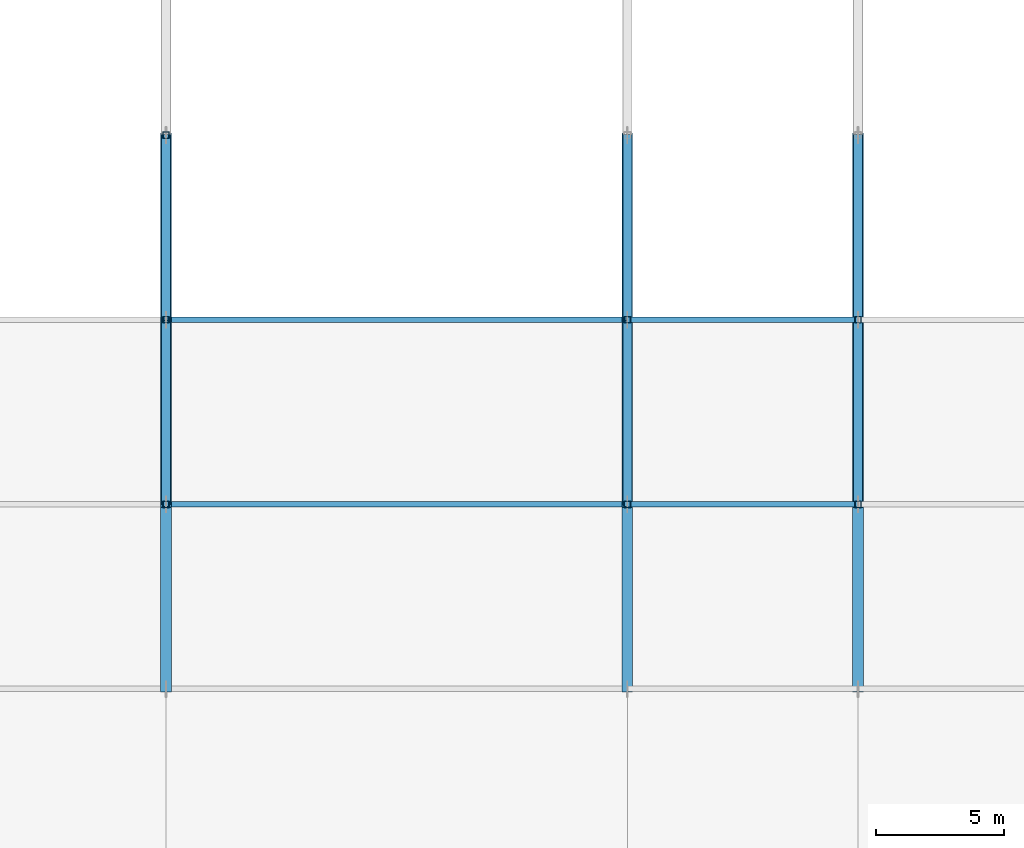
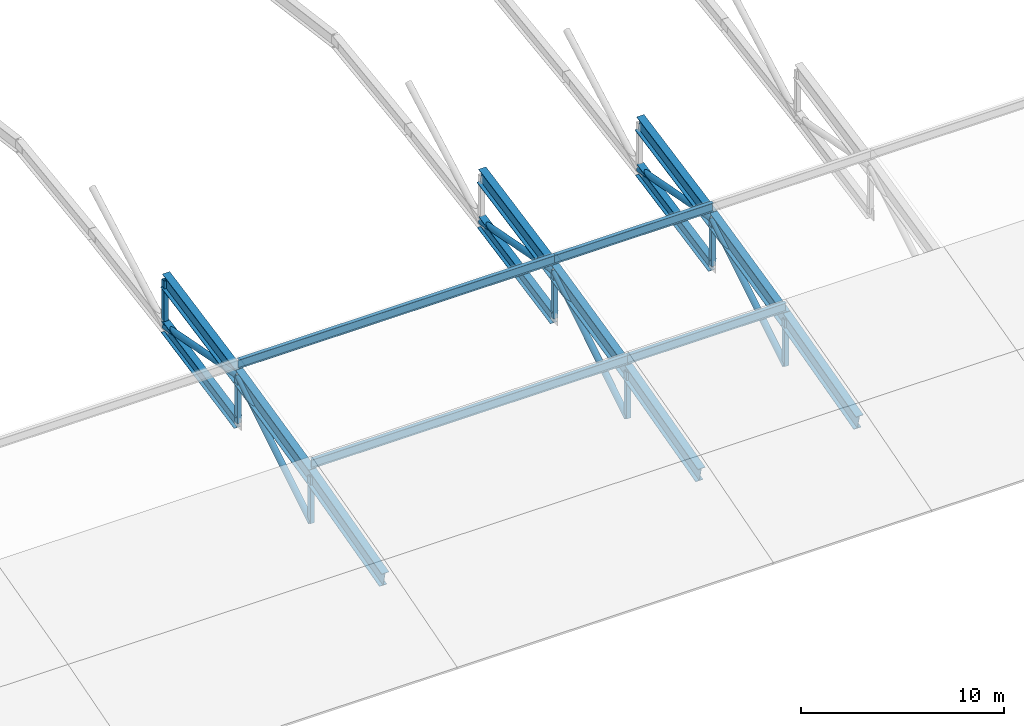
# One storey, part 16 of 124: 29 members.
"""IFC4 building model written with IfcOpenShell, lengths in metres."""

from ifc_helpers import new_model, si_unit, direction, frame, origin, origin_2d, place, context, subcontext, project, spatial, hollow_rectangle, hollow_circle, i_section, extrude, material, material_profile, profile_set, type_object, element, save


model = new_model("IFC4")

# Units and contexts
model_context = context("Model", 3, precision=1e-05, world=origin(), true_north=direction((0.0, 1.0)))
body_context = subcontext(model_context, "Body", "Model", "MODEL_VIEW")
ifc_project = project(units=[si_unit("LENGTHUNIT", "METRE"), si_unit("AREAUNIT", "SQUARE_METRE"), si_unit("VOLUMEUNIT", "CUBIC_METRE"), si_unit("PLANEANGLEUNIT", "RADIAN"), si_unit("MASSUNIT", "GRAM", prefix="KILO")], contexts=[model_context])

# Site, building, storey
site_placement = place(None, origin())
site = spatial("IfcSite", under=ifc_project, at=site_placement, CompositionType="ELEMENT")
building_placement = place(site_placement, origin())
building = spatial("IfcBuilding", under=site, at=building_placement, Name="Celestram Park Convention Centre", CompositionType="ELEMENT")
storey_placement = place(building_placement, frame((0.0, 0.0, 15.300048828125)))
storey = spatial("IfcBuildingStorey", under=building, at=storey_placement, Name="L03", CompositionType="ELEMENT", Elevation=15.300048828125)

# Members
ifc_material_1 = material(Name="Steel ASTM A500 Grade C", Category="steel")
ifc_material_profile_1 = material_profile(ifc_material_1, hollow_circle(Radius=0.177978515625, WallThickness=0.011962890625, at=origin_2d()), Name="CHS356X12")
ifc_profile_set_1 = profile_set([ifc_material_profile_1], Name="Steel ASTM A500 Grade C")
member_type_1 = type_object("IfcMemberType", Name="STR-BRC-CHS356", PredefinedType="BRACE", material=ifc_profile_set_1)
member_1_placement = place(storey_placement, frame((36.0, 36.0, -0.884765625), z_axis=(0.0, 0.850733884049, 0.525596669064), x_axis=(-1.0, 0.0, 0.0)))
element("IfcMember", 1, at=member_1_placement, inside=storey, type_object=member_type_1, Name="V1 arch web diagonal", PredefinedType="BRACE", context=body_context, shape_type="SweptSolid", body=[
    extrude(hollow_circle(Radius=0.177978515625, WallThickness=0.011962890625, at=origin_2d()), origin(), (0.0, 0.0, 1.0), 8.463134765625),
])
member_2_placement = place(storey_placement, frame((36.0, 43.199951171875, 3.5634765625), z_axis=(0.0, 0.982076449011, -0.188483018595), x_axis=(-1.0, 0.0, 0.0)))
element("IfcMember", 2, at=member_2_placement, inside=storey, type_object=member_type_1, Name="V1 arch web diagonal", PredefinedType="BRACE", context=body_context, shape_type="SweptSolid", body=[
    extrude(hollow_circle(Radius=0.177978515625, WallThickness=0.011962890625, at=origin_2d()), origin(), (0.0, 0.0, 1.0), 7.331298828125),
])
member_3_placement = place(storey_placement, frame((54.0, 36.0, -0.884765625), z_axis=(0.0, 0.850733884049, 0.525596669064), x_axis=(-1.0, 0.0, 0.0)))
element("IfcMember", 3, at=member_3_placement, inside=storey, type_object=member_type_1, Name="V1 arch web diagonal", PredefinedType="BRACE", context=body_context, shape_type="SweptSolid", body=[
    extrude(hollow_circle(Radius=0.177978515625, WallThickness=0.011962890625, at=origin_2d()), origin(), (0.0, 0.0, 1.0), 8.463134765625),
])
member_4_placement = place(storey_placement, frame((54.0, 43.199951171875, 3.5634765625), z_axis=(0.0, 0.982076449011, -0.188483018595), x_axis=(-1.0, 0.0, 0.0)))
element("IfcMember", 4, at=member_4_placement, inside=storey, type_object=member_type_1, Name="V1 arch web diagonal", PredefinedType="BRACE", context=body_context, shape_type="SweptSolid", body=[
    extrude(hollow_circle(Radius=0.177978515625, WallThickness=0.011962890625, at=origin_2d()), origin(), (0.0, 0.0, 1.0), 7.331298828125),
])
member_5_placement = place(storey_placement, frame((63.0, 36.0, -0.884765625), z_axis=(0.0, 0.850733884049, 0.525596669064), x_axis=(-1.0, 0.0, 0.0)))
element("IfcMember", 5, at=member_5_placement, inside=storey, type_object=member_type_1, Name="V1 arch web diagonal", PredefinedType="BRACE", context=body_context, shape_type="SweptSolid", body=[
    extrude(hollow_circle(Radius=0.177978515625, WallThickness=0.011962890625, at=origin_2d()), origin(), (0.0, 0.0, 1.0), 8.463134765625),
])
member_6_placement = place(storey_placement, frame((63.0, 43.199951171875, 3.5634765625), z_axis=(0.0, 0.982076449011, -0.188483018595), x_axis=(-1.0, 0.0, 0.0)))
element("IfcMember", 6, at=member_6_placement, inside=storey, type_object=member_type_1, Name="V1 arch web diagonal", PredefinedType="BRACE", context=body_context, shape_type="SweptSolid", body=[
    extrude(hollow_circle(Radius=0.177978515625, WallThickness=0.011962890625, at=origin_2d()), origin(), (0.0, 0.0, 1.0), 7.331298828125),
])
ifc_material_2 = material(Name="Steel ASTM A992 Grade 50", Category="steel")
ifc_material_profile_2 = material_profile(ifc_material_2, i_section(OverallWidth=0.381103515625, OverallDepth=0.77197265625, WebThickness=0.0166015625, FlangeThickness=0.027099609375, at=origin_2d()), Name="W30X173")
ifc_profile_set_2 = profile_set([ifc_material_profile_2], Name="Steel ASTM A992 Grade 50")
member_type_2 = type_object("IfcMemberType", Name="STR-CHD-W30X173", PredefinedType="CHORD", material=ifc_profile_set_2)
for number, where, z_axis, x_axis, name in (
    (7, (36.0, 43.199951171875, 0.763427734375), (0.0, 0.981147221646, 0.193261815827), (-1.0, 0.0, 0.0), "V1 arch bottom chord"),
    (8, (54.0, 43.199951171875, 0.763427734375), (0.0, 0.981147221646, 0.193261815827), (-1.0, 0.0, 0.0), "V1 arch bottom chord"),
    (9, (63.0, 43.199951171875, 0.763427734375), (0.0, 0.981147221646, 0.193261815827), (-1.0, 0.0, 0.0), "V1 arch bottom chord"),
):
    element("IfcMember", number, at=place(storey_placement, frame(where, z_axis=z_axis, x_axis=x_axis)), inside=storey, type_object=member_type_2, Name=name, PredefinedType="CHORD", context=body_context, shape_type="SweptSolid", body=[
        extrude(i_section(OverallWidth=0.381103515625, OverallDepth=0.77197265625, WebThickness=0.0166015625, FlangeThickness=0.027099609375, at=origin_2d()), origin(), (0.0, 0.0, 1.0), 7.33837890625),
    ])
ifc_material_profile_3 = material_profile(ifc_material_2, i_section(OverallWidth=0.4189453125, OverallDepth=0.927001953125, WebThickness=0.019287109375, FlangeThickness=0.031982421875, at=origin_2d()), Name="W36X231")
ifc_profile_set_3 = profile_set([ifc_material_profile_3], Name="Steel ASTM A992 Grade 50")
member_type_3 = type_object("IfcMemberType", Name="STR-CHD-W36X231", PredefinedType="CHORD", material=ifc_profile_set_3)
member_7_placement = place(storey_placement, frame((36.0, 28.800048828125, 0.036865234375), z_axis=(0.0, 0.967619711376, 0.252412547544), x_axis=(-1.0, 0.0, 0.0)))
element("IfcMember", 10, at=member_7_placement, inside=storey, type_object=member_type_3, Name="V1 arch top chord", PredefinedType="CHORD", context=body_context, shape_type="SweptSolid", body=[
    extrude(i_section(OverallWidth=0.4189453125, OverallDepth=0.927001953125, WebThickness=0.019287109375, FlangeThickness=0.031982421875, at=origin_2d()), origin(), (0.0, 0.0, 1.0), 7.44091796875),
])
member_8_placement = place(storey_placement, frame((36.0, 36.0, 1.9150390625), z_axis=(0.0, 0.974778027662, 0.223176604482), x_axis=(-1.0, 0.0, 0.0)))
element("IfcMember", 11, at=member_8_placement, inside=storey, type_object=member_type_3, Name="V1 arch top chord", PredefinedType="CHORD", context=body_context, shape_type="SweptSolid", body=[
    extrude(i_section(OverallWidth=0.4189453125, OverallDepth=0.927001953125, WebThickness=0.019287109375, FlangeThickness=0.031982421875, at=origin_2d()), origin(), (0.0, 0.0, 1.0), 7.38623046875),
])
member_9_placement = place(storey_placement, frame((36.0, 43.199951171875, 3.5634765625), z_axis=(0.0, 0.981147221646, 0.193261815827), x_axis=(-1.0, 0.0, 0.0)))
element("IfcMember", 12, at=member_9_placement, inside=storey, type_object=member_type_3, Name="V1 arch top chord", PredefinedType="CHORD", context=body_context, shape_type="SweptSolid", body=[
    extrude(i_section(OverallWidth=0.4189453125, OverallDepth=0.927001953125, WebThickness=0.019287109375, FlangeThickness=0.031982421875, at=origin_2d()), origin(), (0.0, 0.0, 1.0), 7.33837890625),
])
member_10_placement = place(storey_placement, frame((54.0, 28.800048828125, 0.036865234375), z_axis=(0.0, 0.967619711376, 0.252412547544), x_axis=(-1.0, 0.0, 0.0)))
element("IfcMember", 13, at=member_10_placement, inside=storey, type_object=member_type_3, Name="V1 arch top chord", PredefinedType="CHORD", context=body_context, shape_type="SweptSolid", body=[
    extrude(i_section(OverallWidth=0.4189453125, OverallDepth=0.927001953125, WebThickness=0.019287109375, FlangeThickness=0.031982421875, at=origin_2d()), origin(), (0.0, 0.0, 1.0), 7.44091796875),
])
member_11_placement = place(storey_placement, frame((54.0, 36.0, 1.9150390625), z_axis=(0.0, 0.974778027662, 0.223176604482), x_axis=(-1.0, 0.0, 0.0)))
element("IfcMember", 14, at=member_11_placement, inside=storey, type_object=member_type_3, Name="V1 arch top chord", PredefinedType="CHORD", context=body_context, shape_type="SweptSolid", body=[
    extrude(i_section(OverallWidth=0.4189453125, OverallDepth=0.927001953125, WebThickness=0.019287109375, FlangeThickness=0.031982421875, at=origin_2d()), origin(), (0.0, 0.0, 1.0), 7.38623046875),
])
member_12_placement = place(storey_placement, frame((54.0, 43.199951171875, 3.5634765625), z_axis=(0.0, 0.981147221646, 0.193261815827), x_axis=(-1.0, 0.0, 0.0)))
element("IfcMember", 15, at=member_12_placement, inside=storey, type_object=member_type_3, Name="V1 arch top chord", PredefinedType="CHORD", context=body_context, shape_type="SweptSolid", body=[
    extrude(i_section(OverallWidth=0.4189453125, OverallDepth=0.927001953125, WebThickness=0.019287109375, FlangeThickness=0.031982421875, at=origin_2d()), origin(), (0.0, 0.0, 1.0), 7.33837890625),
])
member_13_placement = place(storey_placement, frame((63.0, 28.800048828125, 0.036865234375), z_axis=(0.0, 0.967619711376, 0.252412547544), x_axis=(-1.0, 0.0, 0.0)))
element("IfcMember", 16, at=member_13_placement, inside=storey, type_object=member_type_3, Name="V1 arch top chord", PredefinedType="CHORD", context=body_context, shape_type="SweptSolid", body=[
    extrude(i_section(OverallWidth=0.4189453125, OverallDepth=0.927001953125, WebThickness=0.019287109375, FlangeThickness=0.031982421875, at=origin_2d()), origin(), (0.0, 0.0, 1.0), 7.44091796875),
])
member_14_placement = place(storey_placement, frame((63.0, 36.0, 1.9150390625), z_axis=(0.0, 0.974778027662, 0.223176604482), x_axis=(-1.0, 0.0, 0.0)))
element("IfcMember", 17, at=member_14_placement, inside=storey, type_object=member_type_3, Name="V1 arch top chord", PredefinedType="CHORD", context=body_context, shape_type="SweptSolid", body=[
    extrude(i_section(OverallWidth=0.4189453125, OverallDepth=0.927001953125, WebThickness=0.019287109375, FlangeThickness=0.031982421875, at=origin_2d()), origin(), (0.0, 0.0, 1.0), 7.38623046875),
])
member_15_placement = place(storey_placement, frame((63.0, 43.199951171875, 3.5634765625), z_axis=(0.0, 0.981147221646, 0.193261815827), x_axis=(-1.0, 0.0, 0.0)))
element("IfcMember", 18, at=member_15_placement, inside=storey, type_object=member_type_3, Name="V1 arch top chord", PredefinedType="CHORD", context=body_context, shape_type="SweptSolid", body=[
    extrude(i_section(OverallWidth=0.4189453125, OverallDepth=0.927001953125, WebThickness=0.019287109375, FlangeThickness=0.031982421875, at=origin_2d()), origin(), (0.0, 0.0, 1.0), 7.33837890625),
])
ifc_material_profile_4 = material_profile(ifc_material_2, i_section(OverallWidth=0.2099609375, OverallDepth=0.532958984375, WebThickness=0.01025390625, FlangeThickness=0.015625, at=origin_2d()), Name="W21X62")
ifc_profile_set_4 = profile_set([ifc_material_profile_4], Name="Steel ASTM A992 Grade 50")
member_type_4 = type_object("IfcMemberType", Name="STR-RFT-W21X62", PredefinedType="RAFTER", material=ifc_profile_set_4)
for number, where, z_axis, x_axis, name in (
    (19, (36.0, 36.0, 2.645263671875), (1.0, 0.0, 0.0), (0.0, 1.0, 0.0), "V1 roof purlin"),
    (20, (36.0, 43.199951171875, 4.29345703125), (1.0, 0.0, 0.0), (0.0, 1.0, 0.0), "V1 roof purlin"),
):
    element("IfcMember", number, at=place(storey_placement, frame(where, z_axis=z_axis, x_axis=x_axis)), inside=storey, type_object=member_type_4, Name=name, PredefinedType="RAFTER", context=body_context, shape_type="SweptSolid", body=[
        extrude(i_section(OverallWidth=0.2099609375, OverallDepth=0.532958984375, WebThickness=0.01025390625, FlangeThickness=0.015625, at=origin_2d()), origin(), (0.0, 0.0, 1.0), 18.0),
    ])
for number, where, z_axis, x_axis, name in (
    (21, (54.0, 36.0, 2.645263671875), (1.0, 0.0, 0.0), (0.0, 1.0, 0.0), "V1 roof purlin"),
    (22, (54.0, 43.199951171875, 4.29345703125), (1.0, 0.0, 0.0), (0.0, 1.0, 0.0), "V1 roof purlin"),
):
    element("IfcMember", number, at=place(storey_placement, frame(where, z_axis=z_axis, x_axis=x_axis)), inside=storey, type_object=member_type_4, Name=name, PredefinedType="RAFTER", context=body_context, shape_type="SweptSolid", body=[
        extrude(i_section(OverallWidth=0.2099609375, OverallDepth=0.532958984375, WebThickness=0.01025390625, FlangeThickness=0.015625, at=origin_2d()), origin(), (0.0, 0.0, 1.0), 9.0),
    ])
ifc_material_profile_5 = material_profile(ifc_material_1, hollow_rectangle(XDim=0.25, YDim=0.25, WallThickness=0.011962890625, at=origin_2d()), Name="HSS250X250X12")
ifc_profile_set_5 = profile_set([ifc_material_profile_5], Name="Steel ASTM A500 Grade C")
member_type_5 = type_object("IfcMemberType", Name="STR-STR-HSS250", PredefinedType="STRUT", material=ifc_profile_set_5)
member_16_placement = place(storey_placement, frame((36.0, 36.0, -0.884765625), z_axis=(0.0, 0.0, 1.0), x_axis=(1.0, 0.0, 0.0)))
element("IfcMember", 23, at=member_16_placement, inside=storey, type_object=member_type_5, Name="V1 arch vertical strut", PredefinedType="STRUT", context=body_context, shape_type="SweptSolid", body=[
    extrude(hollow_rectangle(XDim=0.25, YDim=0.25, WallThickness=0.011962890625, at=origin_2d()), origin(), (0.0, 0.0, 1.0), 2.7998046875),
])
for number, where, z_axis, x_axis, name in (
    (24, (36.0, 43.199951171875, 0.763427734375), (0.0, 0.0, 1.0), (1.0, 0.0, 0.0), "V1 arch vertical strut"),
    (25, (36.0, 50.39990234375, 2.181640625), (0.0, 0.0, 1.0), (1.0, 0.0, 0.0), "V1 arch vertical strut"),
):
    element("IfcMember", number, at=place(storey_placement, frame(where, z_axis=z_axis, x_axis=x_axis)), inside=storey, type_object=member_type_5, Name=name, PredefinedType="STRUT", context=body_context, shape_type="SweptSolid", body=[
        extrude(hollow_rectangle(XDim=0.25, YDim=0.25, WallThickness=0.011962890625, at=origin_2d()), origin(), (0.0, 0.0, 1.0), 2.800048828125),
    ])
member_17_placement = place(storey_placement, frame((54.0, 36.0, -0.884765625), z_axis=(0.0, 0.0, 1.0), x_axis=(1.0, 0.0, 0.0)))
element("IfcMember", 26, at=member_17_placement, inside=storey, type_object=member_type_5, Name="V1 arch vertical strut", PredefinedType="STRUT", context=body_context, shape_type="SweptSolid", body=[
    extrude(hollow_rectangle(XDim=0.25, YDim=0.25, WallThickness=0.011962890625, at=origin_2d()), origin(), (0.0, 0.0, 1.0), 2.7998046875),
])
member_18_placement = place(storey_placement, frame((54.0, 43.199951171875, 0.763427734375), z_axis=(0.0, 0.0, 1.0), x_axis=(1.0, 0.0, 0.0)))
element("IfcMember", 27, at=member_18_placement, inside=storey, type_object=member_type_5, Name="V1 arch vertical strut", PredefinedType="STRUT", context=body_context, shape_type="SweptSolid", body=[
    extrude(hollow_rectangle(XDim=0.25, YDim=0.25, WallThickness=0.011962890625, at=origin_2d()), origin(), (0.0, 0.0, 1.0), 2.800048828125),
])
member_19_placement = place(storey_placement, frame((63.0, 36.0, -0.884765625), z_axis=(0.0, 0.0, 1.0), x_axis=(1.0, 0.0, 0.0)))
element("IfcMember", 28, at=member_19_placement, inside=storey, type_object=member_type_5, Name="V1 arch vertical strut", PredefinedType="STRUT", context=body_context, shape_type="SweptSolid", body=[
    extrude(hollow_rectangle(XDim=0.25, YDim=0.25, WallThickness=0.011962890625, at=origin_2d()), origin(), (0.0, 0.0, 1.0), 2.7998046875),
])
member_20_placement = place(storey_placement, frame((63.0, 43.199951171875, 0.763427734375), z_axis=(0.0, 0.0, 1.0), x_axis=(1.0, 0.0, 0.0)))
element("IfcMember", 29, at=member_20_placement, inside=storey, type_object=member_type_5, Name="V1 arch vertical strut", PredefinedType="STRUT", context=body_context, shape_type="SweptSolid", body=[
    extrude(hollow_rectangle(XDim=0.25, YDim=0.25, WallThickness=0.011962890625, at=origin_2d()), origin(), (0.0, 0.0, 1.0), 2.800048828125),
])

save(model, "model.ifc")
